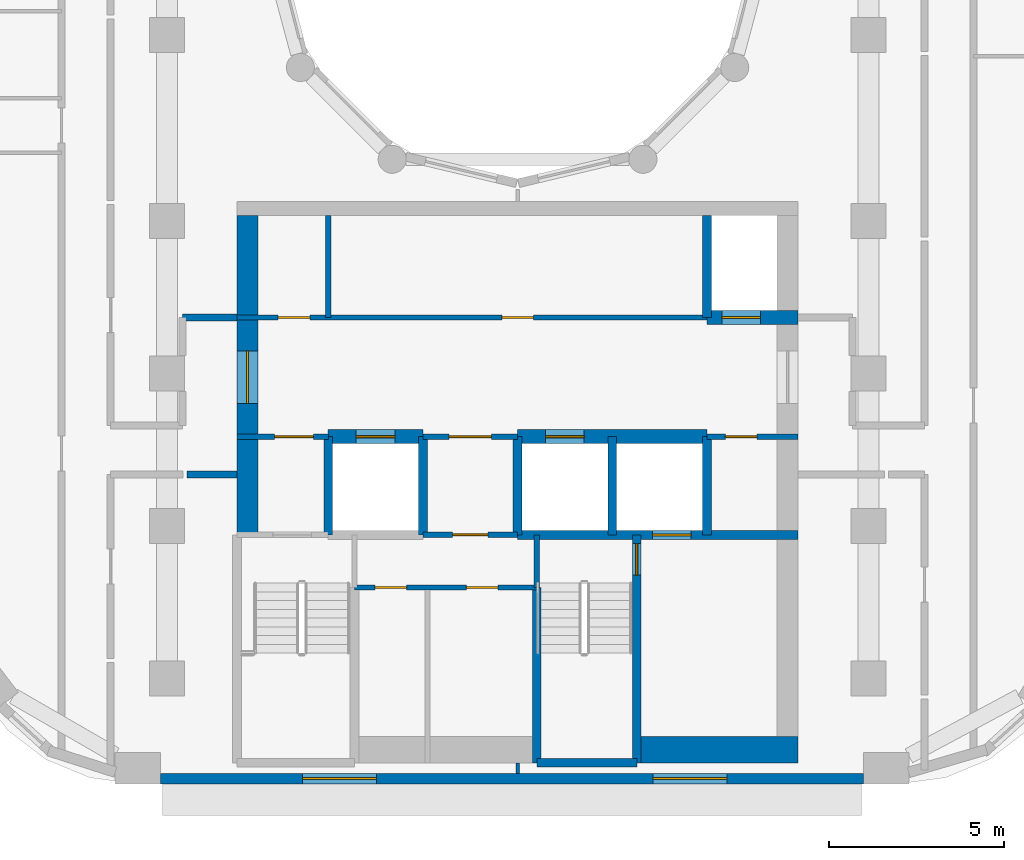
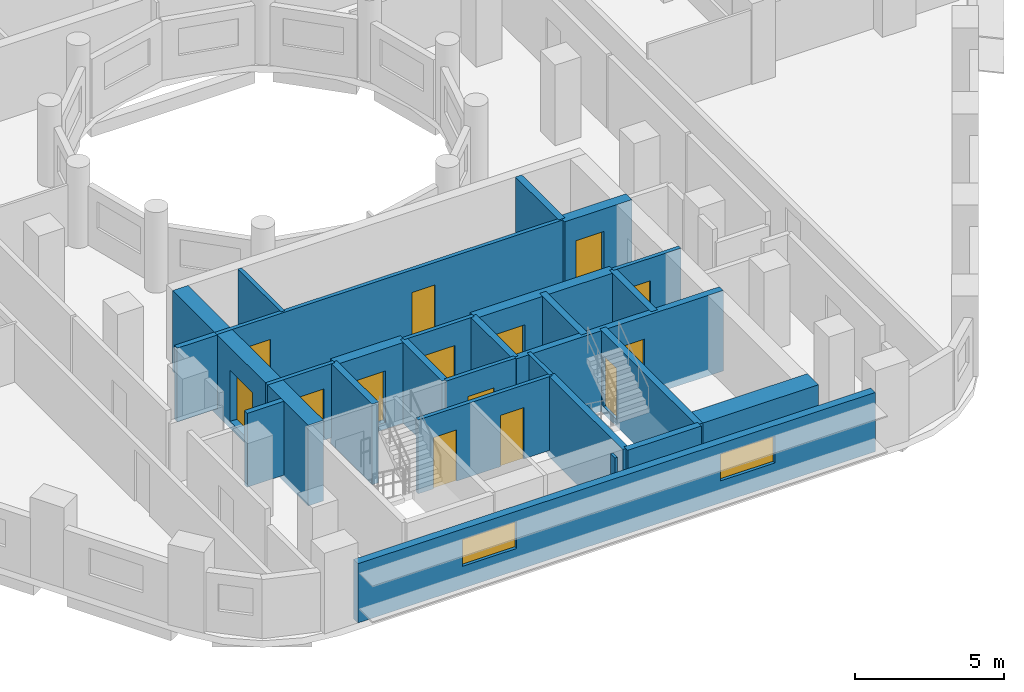
# One storey, part 3 of 13: 27 walls, 14 doors, 2 windows, 16 openings.
"""IFC4 building model written with IfcOpenShell, lengths in metres."""

from ifc_helpers import new_model, si_unit, direction, frame, frame_2d, origin, place, context, subcontext, project, spatial, rectangle, extrude, material, layer, layer_set, type_object, element, fill, save


model = new_model("IFC4")

# Units and contexts
model_context = context("Model", 3, precision=1e-05, world=origin(), true_north=direction((0.0, 1.0)))
body_context = subcontext(model_context, "Body", "Model", "MODEL_VIEW")
ifc_project = project(units=[si_unit("LENGTHUNIT", "METRE"), si_unit("AREAUNIT", "SQUARE_METRE"), si_unit("VOLUMEUNIT", "CUBIC_METRE"), si_unit("PLANEANGLEUNIT", "RADIAN"), si_unit("MASSUNIT", "GRAM", prefix="KILO")], contexts=[model_context])

# Site, building, storey
site_placement = place(None, origin())
site = spatial("IfcSite", under=ifc_project, at=site_placement, CompositionType="ELEMENT")
building_placement = place(site_placement, origin())
building = spatial("IfcBuilding", under=site, at=building_placement, Name="Nakaniwa Court", CompositionType="ELEMENT")
storey_placement = place(building_placement, frame((0.0, 0.0, 137.10009765625)))
storey = spatial("IfcBuildingStorey", under=building, at=storey_placement, Name="L35", CompositionType="ELEMENT", Elevation=137.10009765625)

# Walls
ifc_material_1 = material(Name="Acoustic double stud partition")
ifc_layer_1 = layer(ifc_material_1, 0.199951171875)
ifc_layer_set_1 = layer_set([ifc_layer_1], Name="Acoustic double stud partition")
wall_type_1 = type_object("IfcWallType", Name="Acoustic double stud partition 200", PredefinedType="PARTITIONING", material=ifc_layer_set_1)
wall_1_placement = place(storey_placement, frame((70.5771484375, 64.824951171875, 0.0), z_axis=(0.0, 0.0, 1.0), x_axis=(1.0, 0.0, 0.0)))
element("IfcWall", 1, at=wall_1_placement, inside=storey, type_object=wall_type_1, Name="Partition PW-074", PredefinedType="PARTITIONING", context=body_context, shape_type="SweptSolid", body=[
    extrude(rectangle(XDim=1.4228515625, YDim=0.199951171875, at=frame_2d((0.71142578125, 0.0))), origin(), (0.0, 0.0, 1.0), 3.02490234375),
])
wall_2_placement = place(storey_placement, frame((70.449951171875, 69.300048828125, 0.0), z_axis=(0.0, 0.0, 1.0), x_axis=(1.0, 0.0, 0.0)))
element("IfcWall", 2, at=wall_2_placement, inside=storey, type_object=wall_type_1, Name="Partition PW-078", PredefinedType="PARTITIONING", context=body_context, shape_type="SweptSolid", body=[
    extrude(rectangle(XDim=1.550048828125, YDim=0.199951171875, at=frame_2d((0.77490234375, 0.0))), origin(), (0.0, 0.0, 1.0), 3.02490234375),
])

# Wall, openings, windows
ifc_material_2 = material(Name="Charcoal ceramic cladding")
ifc_layer_2 = layer(ifc_material_2, 0.02, Name="Ceramic cladding")
ifc_material_3 = material(Name="Ventilated air cavity")
ifc_layer_3 = layer(ifc_material_3, 0.04, ventilated=True, Name="Ventilated cavity")
ifc_material_4 = material(Name="Mineral wool insulation")
ifc_layer_4 = layer(ifc_material_4, 0.1, Name="Insulation")
ifc_material_5 = material(Name="Cement bonded sheathing board")
ifc_layer_5 = layer(ifc_material_5, 0.012, Name="Sheathing")
ifc_material_6 = material(Name="Cold-formed galvanised stud frame with mineral wool infill")
ifc_layer_6 = layer(ifc_material_6, 0.1, Name="Stud frame")
ifc_material_7 = material(Name="Fire-rated gypsum plasterboard lining")
ifc_layer_7 = layer(ifc_material_7, 0.028, Name="Lining")
ifc_layer_set_2 = layer_set([ifc_layer_2, ifc_layer_3, ifc_layer_4, ifc_layer_5, ifc_layer_6, ifc_layer_7], Name="Charcoal ceramic faced external wall system")
wall_type_2 = type_object("IfcWallType", Name="Black ceramic faced external wall 300", PredefinedType="SOLIDWALL", material=ifc_layer_set_2)
wall_3_placement = place(storey_placement, frame((69.8212890625, 56.14990234375, 0.0), z_axis=(0.0, 0.0, 1.0), x_axis=(1.0, 0.0, 0.0)))
wall_3 = element("IfcWall", 3, at=wall_3_placement, inside=storey, type_object=wall_type_2, Name="L35 external wall 26", PredefinedType="SOLIDWALL", context=body_context, shape_type="SweptSolid", body=[
    extrude(rectangle(XDim=20.039794921875, YDim=0.300048828125, at=frame_2d((10.02001953125, 0.0))), origin(), (0.0, 0.0, 1.0), 2.4248046875),
])
opening_1_placement = place(wall_3_placement, frame((4.05126953125, 0.0, 0.89990234375)))
opening_1 = element("IfcOpeningElement", 4, at=opening_1_placement, cuts=wall_3, Name="Opening W7.27", PredefinedType="OPENING", context=body_context, shape_type="SweptSolid", body=[
    extrude(rectangle(XDim=2.10009765625, YDim=1.10009765625, at=frame_2d((1.050048828125, 0.550048828125))), frame((0.0, 0.159912109375, 0.0), z_axis=(0.0, -1.0, 0.0), x_axis=(1.0, 0.0, 0.0)), (0.0, 0.0, 1.0), 0.320068359375),
])
opening_2_placement = place(wall_3_placement, frame((14.047119140625, 0.0, 0.89990234375)))
opening_2 = element("IfcOpeningElement", 5, at=opening_2_placement, cuts=wall_3, Name="Opening W7.28", PredefinedType="OPENING", context=body_context, shape_type="SweptSolid", body=[
    extrude(rectangle(XDim=2.10009765625, YDim=1.10009765625, at=frame_2d((1.050048828125, 0.550048828125))), frame((0.0, 0.159912109375, 0.0), z_axis=(0.0, -1.0, 0.0), x_axis=(1.0, 0.0, 0.0)), (0.0, 0.0, 1.0), 0.320068359375),
])
ifc_material_8 = material(Name="Black anodised aluminium frame with dark low-E laminated double glazing", Category="aluminium")
window_type = type_object("IfcWindowType", Name="Dark glass window 2100x1100 sill 900", PartitioningType="SINGLE_PANEL", PredefinedType="WINDOW", material=ifc_material_8)
window_1_placement = place(opening_1_placement, origin())
window_1 = element("IfcWindow", 6, at=window_1_placement, inside=storey, type_object=window_type, Name="L35 habitable room window 26-0", OverallHeight=1.10009765625, OverallWidth=2.10009765625, PartitioningType="SINGLE_PANEL", PredefinedType="WINDOW", context=body_context, shape_type="SweptSolid", body=[
    extrude(rectangle(XDim=2.10009765625, YDim=1.10009765625, at=frame_2d((1.050048828125, 0.550048828125))), frame((0.0, 0.030029296875, 0.0), z_axis=(0.0, -1.0, 0.0), x_axis=(1.0, 0.0, 0.0)), (0.0, 0.0, 1.0), 0.06005859375),
])
fill(opening_1, window_1)
window_2_placement = place(opening_2_placement, origin())
window_2 = element("IfcWindow", 7, at=window_2_placement, inside=storey, type_object=window_type, Name="L35 habitable room window 26-1", OverallHeight=1.10009765625, OverallWidth=2.10009765625, PartitioningType="SINGLE_PANEL", PredefinedType="WINDOW", context=body_context, shape_type="SweptSolid", body=[
    extrude(rectangle(XDim=2.10009765625, YDim=1.10009765625, at=frame_2d((1.050048828125, 0.550048828125))), frame((0.0, 0.030029296875, 0.0), z_axis=(0.0, -1.0, 0.0), x_axis=(1.0, 0.0, 0.0)), (0.0, 0.0, 1.0), 0.06005859375),
])
fill(opening_2, window_2)

# Wall
ifc_material_9 = material(Name="Blockwork partition", Category="masonry")
ifc_layer_8 = layer(ifc_material_9, 0.14990234375)
ifc_layer_set_3 = layer_set([ifc_layer_8], Name="Blockwork partition")
wall_type_3 = type_object("IfcWallType", Name="Blockwork partition 150", PredefinedType="PARTITIONING", material=ifc_layer_set_3)
wall_4_placement = place(storey_placement, frame((74.60009765625, 69.300048828125, 0.0), z_axis=(0.0, 0.0, 1.0), x_axis=(0.0, 1.0, 0.0)))
element("IfcWall", 8, at=wall_4_placement, inside=storey, type_object=wall_type_3, Name="Partition PW-033", PredefinedType="PARTITIONING", context=body_context, shape_type="SweptSolid", body=[
    extrude(rectangle(XDim=2.89990234375, YDim=0.14990234375, at=frame_2d((1.449951171875, 0.0))), origin(), (0.0, 0.0, 1.0), 3.02490234375),
])

# Wall, openings, doors
wall_5_placement = place(storey_placement, frame((72.0, 69.300048828125, 0.0), z_axis=(0.0, 0.0, 1.0), x_axis=(1.0, 0.0, 0.0)))
wall_5 = element("IfcWall", 9, at=wall_5_placement, inside=storey, type_object=wall_type_3, Name="Partition PW-034", PredefinedType="PARTITIONING", context=body_context, shape_type="SweptSolid", body=[
    extrude(rectangle(XDim=13.39990234375, YDim=0.14990234375, at=frame_2d((6.699951171875, 0.0))), origin(), (0.0, 0.0, 1.0), 3.02490234375),
])
opening_3_placement = place(wall_5_placement, frame((1.175048828125, 0.0, 0.0)))
opening_3 = element("IfcOpeningElement", 10, at=opening_3_placement, cuts=wall_5, Name="Opening D-05-06", PredefinedType="OPENING", context=body_context, shape_type="SweptSolid", body=[
    extrude(rectangle(XDim=0.89990234375, YDim=2.10009765625, at=frame_2d((0.449951171875, 1.050048828125))), frame((0.0, 0.0849609375, 0.0), z_axis=(0.0, -1.0, 0.0), x_axis=(1.0, 0.0, 0.0)), (0.0, 0.0, 1.0), 0.169921875),
])
opening_4_placement = place(wall_5_placement, frame((7.550048828125, 0.0, 0.0)))
opening_4 = element("IfcOpeningElement", 11, at=opening_4_placement, cuts=wall_5, Name="Opening D-05-07", PredefinedType="OPENING", context=body_context, shape_type="SweptSolid", body=[
    extrude(rectangle(XDim=0.89990234375, YDim=2.10009765625, at=frame_2d((0.449951171875, 1.050048828125))), frame((0.0, 0.0849609375, 0.0), z_axis=(0.0, -1.0, 0.0), x_axis=(1.0, 0.0, 0.0)), (0.0, 0.0, 1.0), 0.169921875),
])
ifc_material_10 = material(Name="Fire rated steel door set", Category="steel")
door_type_1 = type_object("IfcDoorType", Name="Service room door 900", OperationType="NOTDEFINED", PredefinedType="DOOR", material=ifc_material_10)
door_1_placement = place(opening_3_placement, origin())
door_1 = element("IfcDoor", 12, at=door_1_placement, inside=storey, type_object=door_type_1, Name="Door D-05-06 L35-011", OperationType="SINGLE_SWING_RIGHT", OverallHeight=2.10009765625, OverallWidth=0.89990234375, PredefinedType="DOOR", context=body_context, shape_type="SweptSolid", body=[
    extrude(rectangle(XDim=0.89990234375, YDim=2.10009765625, at=frame_2d((0.449951171875, 1.050048828125))), frame((0.0, 0.02490234375, 0.0), z_axis=(0.0, -1.0, 0.0), x_axis=(1.0, 0.0, 0.0)), (0.0, 0.0, 1.0), 0.050048828125),
])
fill(opening_3, door_1)
door_2_placement = place(opening_4_placement, origin())
door_2 = element("IfcDoor", 13, at=door_2_placement, inside=storey, type_object=door_type_1, Name="Door D-05-07 L35-012", OperationType="SINGLE_SWING_LEFT", OverallHeight=2.10009765625, OverallWidth=0.89990234375, PredefinedType="DOOR", context=body_context, shape_type="SweptSolid", body=[
    extrude(rectangle(XDim=0.89990234375, YDim=2.10009765625, at=frame_2d((0.449951171875, 1.050048828125))), frame((0.0, 0.02490234375, 0.0), z_axis=(0.0, -1.0, 0.0), x_axis=(1.0, 0.0, 0.0)), (0.0, 0.0, 1.0), 0.050048828125),
])
fill(opening_4, door_2)

# Wall, opening, door
wall_6_placement = place(storey_placement, frame((74.60302734375, 65.89990234375, 0.0), z_axis=(0.0, 0.0, 1.0), x_axis=(-1.0, 0.0, 0.0)))
wall_6 = element("IfcWall", 14, at=wall_6_placement, inside=storey, type_object=wall_type_3, Name="Partition PW-040", PredefinedType="PARTITIONING", context=body_context, shape_type="SweptSolid", body=[
    extrude(rectangle(XDim=2.60302734375, YDim=0.14990234375, at=frame_2d((1.301513671875, 0.0))), origin(), (0.0, 0.0, 1.0), 3.02490234375),
])
opening_5_placement = place(wall_6_placement, frame((0.427978515625, 0.0, 0.0)))
opening_5 = element("IfcOpeningElement", 15, at=opening_5_placement, cuts=wall_6, Name="Opening D-08-02", PredefinedType="OPENING", context=body_context, shape_type="SweptSolid", body=[
    extrude(rectangle(XDim=1.10009765625, YDim=2.10009765625, at=frame_2d((0.550048828125, 1.050048828125))), frame((0.0, 0.0849609375, 0.0), z_axis=(0.0, -1.0, 0.0), x_axis=(1.0, 0.0, 0.0)), (0.0, 0.0, 1.0), 0.169921875),
])
door_type_2 = type_object("IfcDoorType", Name="Stair lobby door 1100", OperationType="NOTDEFINED", PredefinedType="DOOR", material=ifc_material_10)
door_3_placement = place(opening_5_placement, origin())
door_3 = element("IfcDoor", 16, at=door_3_placement, inside=storey, type_object=door_type_2, Name="Door D-08-02 L35-013", OperationType="SINGLE_SWING_RIGHT", OverallHeight=2.10009765625, OverallWidth=1.10009765625, PredefinedType="DOOR", context=body_context, shape_type="SweptSolid", body=[
    extrude(rectangle(XDim=1.10009765625, YDim=2.10009765625, at=frame_2d((0.550048828125, 1.050048828125))), frame((0.0, 0.02490234375, 0.0), z_axis=(0.0, -1.0, 0.0), x_axis=(1.0, 0.0, 0.0)), (0.0, 0.0, 1.0), 0.050048828125),
])
fill(opening_5, door_3)

wall_7_placement = place(storey_placement, frame((80.0029296875, 65.89990234375, 0.0), z_axis=(0.0, 0.0, 1.0), x_axis=(-1.0, 0.0, 0.0)))
wall_7 = element("IfcWall", 17, at=wall_7_placement, inside=storey, type_object=wall_type_3, Name="Partition PW-041", PredefinedType="PARTITIONING", context=body_context, shape_type="SweptSolid", body=[
    extrude(rectangle(XDim=2.705810546875, YDim=0.14990234375, at=frame_2d((1.35302734375, 0.0))), origin(), (0.0, 0.0, 1.0), 3.02490234375),
])
opening_6_placement = place(wall_7_placement, frame((0.7529296875, 0.0, 0.0)))
opening_6 = element("IfcOpeningElement", 18, at=opening_6_placement, cuts=wall_7, Name="Opening D-06-02", PredefinedType="OPENING", context=body_context, shape_type="SweptSolid", body=[
    extrude(rectangle(XDim=1.199951171875, YDim=2.10009765625, at=frame_2d((0.60009765625, 1.050048828125))), frame((0.0, 0.0849609375, 0.0), z_axis=(0.0, -1.0, 0.0), x_axis=(1.0, 0.0, 0.0)), (0.0, 0.0, 1.0), 0.169921875),
])
ifc_material_11 = material(Name="Fire rated steel double door set", Category="steel")
door_type_3 = type_object("IfcDoorType", Name="Service passage double door 1200", OperationType="NOTDEFINED", PredefinedType="DOOR", material=ifc_material_11)
door_4_placement = place(opening_6_placement, origin())
door_4 = element("IfcDoor", 19, at=door_4_placement, inside=storey, type_object=door_type_3, Name="Door D-06-02 L35-014", OperationType="DOUBLE_DOOR_SINGLE_SWING", OverallHeight=2.10009765625, OverallWidth=1.199951171875, PredefinedType="DOOR", context=body_context, shape_type="SweptSolid", body=[
    extrude(rectangle(XDim=1.199951171875, YDim=2.10009765625, at=frame_2d((0.60009765625, 1.050048828125))), frame((0.0, 0.02490234375, 0.0), z_axis=(0.0, -1.0, 0.0), x_axis=(1.0, 0.0, 0.0)), (0.0, 0.0, 1.0), 0.050048828125),
])
fill(opening_6, door_4)

wall_8_placement = place(storey_placement, frame((88.0, 65.89990234375, 0.0), z_axis=(0.0, 0.0, 1.0), x_axis=(-1.0, 0.0, 0.0)))
wall_8 = element("IfcWall", 20, at=wall_8_placement, inside=storey, type_object=wall_type_3, Name="Partition PW-042", PredefinedType="PARTITIONING", context=body_context, shape_type="SweptSolid", body=[
    extrude(rectangle(XDim=2.60302734375, YDim=0.14990234375, at=frame_2d((1.301513671875, 0.0))), origin(), (0.0, 0.0, 1.0), 3.02490234375),
])
opening_7_placement = place(wall_8_placement, frame((1.175048828125, 0.0, 0.0)))
opening_7 = element("IfcOpeningElement", 21, at=opening_7_placement, cuts=wall_8, Name="Opening D-05-08", PredefinedType="OPENING", context=body_context, shape_type="SweptSolid", body=[
    extrude(rectangle(XDim=0.89990234375, YDim=2.10009765625, at=frame_2d((0.449951171875, 1.050048828125))), frame((0.0, 0.0849609375, 0.0), z_axis=(0.0, -1.0, 0.0), x_axis=(1.0, 0.0, 0.0)), (0.0, 0.0, 1.0), 0.169921875),
])
door_5_placement = place(opening_7_placement, origin())
door_5 = element("IfcDoor", 22, at=door_5_placement, inside=storey, type_object=door_type_1, Name="Door D-05-08 L35-015", OperationType="SINGLE_SWING_RIGHT", OverallHeight=2.10009765625, OverallWidth=0.89990234375, PredefinedType="DOOR", context=body_context, shape_type="SweptSolid", body=[
    extrude(rectangle(XDim=0.89990234375, YDim=2.10009765625, at=frame_2d((0.449951171875, 1.050048828125))), frame((0.0, 0.02490234375, 0.0), z_axis=(0.0, -1.0, 0.0), x_axis=(1.0, 0.0, 0.0)), (0.0, 0.0, 1.0), 0.050048828125),
])
fill(opening_7, door_5)

wall_9_placement = place(storey_placement, frame((80.0, 63.10009765625, 0.0), z_axis=(0.0, 0.0, 1.0), x_axis=(-1.0, 0.0, 0.0)))
wall_9 = element("IfcWall", 23, at=wall_9_placement, inside=storey, type_object=wall_type_3, Name="Partition PW-051", PredefinedType="PARTITIONING", context=body_context, shape_type="SweptSolid", body=[
    extrude(rectangle(XDim=2.699951171875, YDim=0.14990234375, at=frame_2d((1.35009765625, 0.0))), origin(), (0.0, 0.0, 1.0), 3.02490234375),
])
opening_8_placement = place(wall_9_placement, frame((0.85009765625, 0.0, 0.0)))
opening_8 = element("IfcOpeningElement", 24, at=opening_8_placement, cuts=wall_9, Name="Opening D-23-02", PredefinedType="OPENING", context=body_context, shape_type="SweptSolid", body=[
    extrude(rectangle(XDim=1.0, YDim=2.10009765625, at=frame_2d((0.5, 1.050048828125))), frame((0.0, 0.0849609375, 0.0), z_axis=(0.0, -1.0, 0.0), x_axis=(1.0, 0.0, 0.0)), (0.0, 0.0, 1.0), 0.169921875),
])
door_type_4 = type_object("IfcDoorType", Name="Service room door 1000", OperationType="NOTDEFINED", PredefinedType="DOOR", material=ifc_material_10)
door_6_placement = place(opening_8_placement, origin())
door_6 = element("IfcDoor", 25, at=door_6_placement, inside=storey, type_object=door_type_4, Name="Door D-23-02 L35-016", OperationType="SINGLE_SWING_LEFT", OverallHeight=2.10009765625, OverallWidth=1.0, PredefinedType="DOOR", context=body_context, shape_type="SweptSolid", body=[
    extrude(rectangle(XDim=1.0, YDim=2.10009765625, at=frame_2d((0.5, 1.050048828125))), frame((0.0, 0.02490234375, 0.0), z_axis=(0.0, -1.0, 0.0), x_axis=(1.0, 0.0, 0.0)), (0.0, 0.0, 1.0), 0.050048828125),
])
fill(opening_8, door_6)

# Wall, openings, doors
wall_10_placement = place(storey_placement, frame((80.550048828125, 61.60009765625, 0.0), z_axis=(0.0, 0.0, 1.0), x_axis=(-1.0, 0.0, 0.0)))
wall_10 = element("IfcWall", 26, at=wall_10_placement, inside=storey, type_object=wall_type_3, Name="Partition PW-063", PredefinedType="PARTITIONING", context=body_context, shape_type="SweptSolid", body=[
    extrude(rectangle(XDim=5.199951171875, YDim=0.14990234375, at=frame_2d((2.60009765625, 0.0))), origin(), (0.0, 0.0, 1.0), 3.02490234375),
])
opening_9_placement = place(wall_10_placement, frame((3.7099609375, 0.0, 0.0)))
opening_9 = element("IfcOpeningElement", 27, at=opening_9_placement, cuts=wall_10, Name="Opening D-05-09", PredefinedType="OPENING", context=body_context, shape_type="SweptSolid", body=[
    extrude(rectangle(XDim=0.89990234375, YDim=2.10009765625, at=frame_2d((0.449951171875, 1.050048828125))), frame((0.0, 0.0849609375, 0.0), z_axis=(0.0, -1.0, 0.0), x_axis=(1.0, 0.0, 0.0)), (0.0, 0.0, 1.0), 0.169921875),
])
opening_10_placement = place(wall_10_placement, frame((1.110107421875, 0.0, 0.0)))
opening_10 = element("IfcOpeningElement", 28, at=opening_10_placement, cuts=wall_10, Name="Opening D-05-10", PredefinedType="OPENING", context=body_context, shape_type="SweptSolid", body=[
    extrude(rectangle(XDim=0.89990234375, YDim=2.10009765625, at=frame_2d((0.449951171875, 1.050048828125))), frame((0.0, 0.0849609375, 0.0), z_axis=(0.0, -1.0, 0.0), x_axis=(1.0, 0.0, 0.0)), (0.0, 0.0, 1.0), 0.169921875),
])
door_7_placement = place(opening_9_placement, origin())
door_7 = element("IfcDoor", 29, at=door_7_placement, inside=storey, type_object=door_type_1, Name="Door D-05-09 L35-017", OperationType="SINGLE_SWING_RIGHT", OverallHeight=2.10009765625, OverallWidth=0.89990234375, PredefinedType="DOOR", context=body_context, shape_type="SweptSolid", body=[
    extrude(rectangle(XDim=0.89990234375, YDim=2.10009765625, at=frame_2d((0.449951171875, 1.050048828125))), frame((0.0, 0.02490234375, 0.0), z_axis=(0.0, -1.0, 0.0), x_axis=(1.0, 0.0, 0.0)), (0.0, 0.0, 1.0), 0.050048828125),
])
fill(opening_9, door_7)
door_8_placement = place(opening_10_placement, origin())
door_8 = element("IfcDoor", 30, at=door_8_placement, inside=storey, type_object=door_type_1, Name="Door D-05-10 L35-018", OperationType="SINGLE_SWING_LEFT", OverallHeight=2.10009765625, OverallWidth=0.89990234375, PredefinedType="DOOR", context=body_context, shape_type="SweptSolid", body=[
    extrude(rectangle(XDim=0.89990234375, YDim=2.10009765625, at=frame_2d((0.449951171875, 1.050048828125))), frame((0.0, 0.02490234375, 0.0), z_axis=(0.0, -1.0, 0.0), x_axis=(1.0, 0.0, 0.0)), (0.0, 0.0, 1.0), 0.050048828125),
])
fill(opening_10, door_8)

# Wall, opening, door
ifc_material_12 = material(Name="Concrete C80/100", Category="concrete")
ifc_layer_9 = layer(ifc_material_12, 0.60009765625)
ifc_layer_set_4 = layer_set([ifc_layer_9], Name="Concrete C80/100")
wall_type_4 = type_object("IfcWallType", Name="Concrete core side wall 600 C80", PredefinedType="SHEAR", material=ifc_layer_set_4)
wall_11_placement = place(storey_placement, frame((72.300048828125, 63.10009765625, -0.275146484375), z_axis=(0.0, 0.0, 1.0), x_axis=(0.0, 1.0, 0.0)))
wall_11 = element("IfcWall", 31, at=wall_11_placement, inside=storey, type_object=wall_type_4, Name="Core wall SW-35", PredefinedType="SHEAR", context=body_context, shape_type="SweptSolid", body=[
    extrude(rectangle(XDim=9.099853515625, YDim=0.60009765625, at=frame_2d((4.5498046875, 0.0))), origin(), (0.0, 0.0, 1.0), 3.300048828125),
])
opening_11_placement = place(wall_11_placement, frame((3.748046875, 0.0, 0.27490234375)))
opening_11 = element("IfcOpeningElement", 32, at=opening_11_placement, cuts=wall_11, Name="Opening D-07-04", PredefinedType="OPENING", context=body_context, shape_type="SweptSolid", body=[
    extrude(rectangle(XDim=1.5, YDim=2.10009765625, at=frame_2d((0.75, 1.050048828125))), frame((0.0, 0.31005859375, 0.0), z_axis=(0.0, -1.0, 0.0), x_axis=(1.0, 0.0, 0.0)), (0.0, 0.0, 1.0), 0.6201171875),
])
ifc_material_13 = material(Name="Glazed fire rated steel double door set", Category="steel")
door_type_5 = type_object("IfcDoorType", Name="Lobby double door 1500", OperationType="NOTDEFINED", PredefinedType="DOOR", material=ifc_material_13)
door_9_placement = place(opening_11_placement, origin())
door_9 = element("IfcDoor", 33, at=door_9_placement, inside=storey, type_object=door_type_5, Name="Door D-07-04 L35-046", OperationType="DOUBLE_DOOR_SINGLE_SWING", OverallHeight=2.10009765625, OverallWidth=1.5, PredefinedType="DOOR", context=body_context, shape_type="SweptSolid", body=[
    extrude(rectangle(XDim=1.5, YDim=2.10009765625, at=frame_2d((0.75, 1.050048828125))), frame((0.0, 0.02490234375, 0.0), z_axis=(0.0, -1.0, 0.0), x_axis=(1.0, 0.0, 0.0)), (0.0, 0.0, 1.0), 0.050048828125),
])
fill(opening_11, door_9)

ifc_layer_10 = layer(ifc_material_12, 0.39990234375)
ifc_layer_set_5 = layer_set([ifc_layer_10], Name="Concrete C80/100")
wall_type_5 = type_object("IfcWallType", Name="Concrete core spine wall 400 C80", PredefinedType="SHEAR", material=ifc_layer_set_5)
wall_12_placement = place(storey_placement, frame((85.39990234375, 69.300048828125, -0.275146484375), z_axis=(0.0, 0.0, 1.0), x_axis=(1.0, 0.0, 0.0)))
wall_12 = element("IfcWall", 34, at=wall_12_placement, inside=storey, type_object=wall_type_5, Name="Core wall SW-38", PredefinedType="SHEAR", context=body_context, shape_type="SweptSolid", body=[
    extrude(rectangle(XDim=2.60009765625, YDim=0.39990234375, at=frame_2d((1.300048828125, 0.0))), origin(), (0.0, 0.0, 1.0), 3.300048828125),
])
opening_12_placement = place(wall_12_placement, frame((0.425048828125, 0.0, 0.27490234375)))
opening_12 = element("IfcOpeningElement", 35, at=opening_12_placement, cuts=wall_12, Name="Opening LD05", PredefinedType="OPENING", context=body_context, shape_type="SweptSolid", body=[
    extrude(rectangle(XDim=1.10009765625, YDim=2.10009765625, at=frame_2d((0.550048828125, 1.050048828125))), frame((0.0, 0.2099609375, 0.0), z_axis=(0.0, -1.0, 0.0), x_axis=(1.0, 0.0, 0.0)), (0.0, 0.0, 1.0), 0.419921875),
])
ifc_material_14 = material(Name="Stainless steel sliding lift landing door", Category="steel")
door_type_6 = type_object("IfcDoorType", Name="Lift landing door 1100", OperationType="NOTDEFINED", PredefinedType="DOOR", material=ifc_material_14)
door_10_placement = place(opening_12_placement, origin())
door_10 = element("IfcDoor", 36, at=door_10_placement, inside=storey, type_object=door_type_6, Name="Lift landing door LD05 L35-005", OperationType="SLIDING_TO_LEFT", OverallHeight=2.10009765625, OverallWidth=1.10009765625, PredefinedType="DOOR", context=body_context, shape_type="SweptSolid", body=[
    extrude(rectangle(XDim=1.10009765625, YDim=2.10009765625, at=frame_2d((0.550048828125, 1.050048828125))), frame((0.0, 0.02490234375, 0.0), z_axis=(0.0, -1.0, 0.0), x_axis=(1.0, 0.0, 0.0)), (0.0, 0.0, 1.0), 0.050048828125),
])
fill(opening_12, door_10)

wall_13_placement = place(storey_placement, frame((74.596923828125, 65.89990234375, -0.275146484375), z_axis=(0.0, 0.0, 1.0), x_axis=(1.0, 0.0, 0.0)))
wall_13 = element("IfcWall", 37, at=wall_13_placement, inside=storey, type_object=wall_type_5, Name="Core wall SW-43", PredefinedType="SHEAR", context=body_context, shape_type="SweptSolid", body=[
    extrude(rectangle(XDim=2.7060546875, YDim=0.39990234375, at=frame_2d((1.35302734375, 0.0))), origin(), (0.0, 0.0, 1.0), 3.300048828125),
])
opening_13_placement = place(wall_13_placement, frame((0.802978515625, 0.0, 0.27490234375)))
opening_13 = element("IfcOpeningElement", 38, at=opening_13_placement, cuts=wall_13, Name="Opening LD06", PredefinedType="OPENING", context=body_context, shape_type="SweptSolid", body=[
    extrude(rectangle(XDim=1.10009765625, YDim=2.10009765625, at=frame_2d((0.550048828125, 1.050048828125))), frame((0.0, 0.2099609375, 0.0), z_axis=(0.0, -1.0, 0.0), x_axis=(1.0, 0.0, 0.0)), (0.0, 0.0, 1.0), 0.419921875),
])
door_11_placement = place(opening_13_placement, origin())
door_11 = element("IfcDoor", 39, at=door_11_placement, inside=storey, type_object=door_type_6, Name="Lift landing door LD06 L35-006", OperationType="SLIDING_TO_LEFT", OverallHeight=2.10009765625, OverallWidth=1.10009765625, PredefinedType="DOOR", context=body_context, shape_type="SweptSolid", body=[
    extrude(rectangle(XDim=1.10009765625, YDim=2.10009765625, at=frame_2d((0.550048828125, 1.050048828125))), frame((0.0, 0.02490234375, 0.0), z_axis=(0.0, -1.0, 0.0), x_axis=(1.0, 0.0, 0.0)), (0.0, 0.0, 1.0), 0.050048828125),
])
fill(opening_13, door_11)

wall_14_placement = place(storey_placement, frame((79.9970703125, 65.89990234375, -0.275146484375), z_axis=(0.0, 0.0, 1.0), x_axis=(1.0, 0.0, 0.0)))
wall_14 = element("IfcWall", 40, at=wall_14_placement, inside=storey, type_object=wall_type_5, Name="Core wall SW-44", PredefinedType="SHEAR", context=body_context, shape_type="SweptSolid", body=[
    extrude(rectangle(XDim=5.406005859375, YDim=0.39990234375, at=frame_2d((2.703125, 0.0))), origin(), (0.0, 0.0, 1.0), 3.300048828125),
])
opening_14_placement = place(wall_14_placement, frame((0.802978515625, 0.0, 0.27490234375)))
opening_14 = element("IfcOpeningElement", 41, at=opening_14_placement, cuts=wall_14, Name="Opening LD07", PredefinedType="OPENING", context=body_context, shape_type="SweptSolid", body=[
    extrude(rectangle(XDim=1.10009765625, YDim=2.10009765625, at=frame_2d((0.550048828125, 1.050048828125))), frame((0.0, 0.2099609375, 0.0), z_axis=(0.0, -1.0, 0.0), x_axis=(1.0, 0.0, 0.0)), (0.0, 0.0, 1.0), 0.419921875),
])
door_12_placement = place(opening_14_placement, origin())
door_12 = element("IfcDoor", 42, at=door_12_placement, inside=storey, type_object=door_type_6, Name="Lift landing door LD07 L35-007", OperationType="SLIDING_TO_LEFT", OverallHeight=2.10009765625, OverallWidth=1.10009765625, PredefinedType="DOOR", context=body_context, shape_type="SweptSolid", body=[
    extrude(rectangle(XDim=1.10009765625, YDim=2.10009765625, at=frame_2d((0.550048828125, 1.050048828125))), frame((0.0, 0.02490234375, 0.0), z_axis=(0.0, -1.0, 0.0), x_axis=(1.0, 0.0, 0.0)), (0.0, 0.0, 1.0), 0.050048828125),
])
fill(opening_14, door_12)

# Walls
ifc_layer_11 = layer(ifc_material_12, 0.14990234375)
ifc_layer_set_6 = layer_set([ifc_layer_11], Name="Concrete C80/100")
wall_type_6 = type_object("IfcWallType", Name="Concrete core wall 150 C80", PredefinedType="SHEAR", material=ifc_layer_set_6)
wall_15_placement = place(storey_placement, frame((80.550048828125, 61.596923828125, -0.275146484375), z_axis=(0.0, 0.0, 1.0), x_axis=(0.0, 1.0, 0.0)))
element("IfcWall", 43, at=wall_15_placement, inside=storey, type_object=wall_type_6, Name="Core wall SW-59", PredefinedType="SHEAR", context=body_context, shape_type="SweptSolid", body=[
    extrude(rectangle(XDim=1.503173828125, YDim=0.14990234375, at=frame_2d((0.75146484375, 0.0))), origin(), (0.0, 0.0, 1.0), 3.300048828125),
])
ifc_layer_12 = layer(ifc_material_12, 0.25)
ifc_layer_set_7 = layer_set([ifc_layer_12], Name="Concrete C80/100")
wall_type_7 = type_object("IfcWallType", Name="Concrete core wall 250 C80", PredefinedType="SHEAR", material=ifc_layer_set_7)
wall_16_placement = place(storey_placement, frame((80.550048828125, 56.60009765625, -0.275146484375), z_axis=(0.0, 0.0, 1.0), x_axis=(1.0, 0.0, 0.0)))
element("IfcWall", 44, at=wall_16_placement, inside=storey, type_object=wall_type_7, Name="Core wall SW-57", PredefinedType="SHEAR", context=body_context, shape_type="SweptSolid", body=[
    extrude(rectangle(XDim=2.849853515625, YDim=0.25, at=frame_2d((1.4248046875, 0.0))), origin(), (0.0, 0.0, 1.0), 3.300048828125),
])
ifc_layer_13 = layer(ifc_material_12, 0.75)
ifc_layer_set_8 = layer_set([ifc_layer_13], Name="Concrete C80/100")
wall_type_8 = type_object("IfcWallType", Name="Concrete core wall 750 C80", PredefinedType="SHEAR", material=ifc_layer_set_8)
wall_17_placement = place(storey_placement, frame((83.39990234375, 56.97509765625, -0.275146484375), z_axis=(0.0, 0.0, 1.0), x_axis=(1.0, 0.0, 0.0)))
element("IfcWall", 45, at=wall_17_placement, inside=storey, type_object=wall_type_8, Name="Core wall SW-62", PredefinedType="SHEAR", context=body_context, shape_type="SweptSolid", body=[
    extrude(rectangle(XDim=4.60009765625, YDim=0.75, at=frame_2d((2.300048828125, 0.0))), origin(), (0.0, 0.0, 1.0), 3.300048828125),
])
ifc_layer_14 = layer(ifc_material_12, 0.25)
ifc_layer_set_9 = layer_set([ifc_layer_14], Name="Concrete C80/100")
wall_type_9 = type_object("IfcWallType", Name="Concrete shaft wall 250 C80", PredefinedType="SHEAR", material=ifc_layer_set_9)
wall_18_placement = place(storey_placement, frame((85.39990234375, 63.10009765625, -0.275146484375), z_axis=(0.0, 0.0, 1.0), x_axis=(0.0, 1.0, 0.0)))
element("IfcWall", 46, at=wall_18_placement, inside=storey, type_object=wall_type_9, Name="Core wall SW-36", PredefinedType="SHEAR", context=body_context, shape_type="SweptSolid", body=[
    extrude(rectangle(XDim=2.7998046875, YDim=0.25, at=frame_2d((1.39990234375, 0.0))), origin(), (0.0, 0.0, 1.0), 3.300048828125),
])
wall_19_placement = place(storey_placement, frame((85.39990234375, 69.300048828125, -0.275146484375), z_axis=(0.0, 0.0, 1.0), x_axis=(0.0, 1.0, 0.0)))
element("IfcWall", 47, at=wall_19_placement, inside=storey, type_object=wall_type_9, Name="Core wall SW-37", PredefinedType="SHEAR", context=body_context, shape_type="SweptSolid", body=[
    extrude(rectangle(XDim=2.89990234375, YDim=0.25, at=frame_2d((1.449951171875, 0.0))), origin(), (0.0, 0.0, 1.0), 3.300048828125),
])
for number, where, z_axis, x_axis, name in (
    (48, (74.60009765625, 63.10009765625, -0.275146484375), (0.0, 0.0, 1.0), (0.0, 1.0, 0.0), "Core wall SW-45"),
    (49, (77.300048828125, 63.10009765625, -0.275146484375), (0.0, 0.0, 1.0), (0.0, 1.0, 0.0), "Core wall SW-47"),
):
    element("IfcWall", number, at=place(storey_placement, frame(where, z_axis=z_axis, x_axis=x_axis)), inside=storey, type_object=wall_type_9, Name=name, PredefinedType="SHEAR", context=body_context, shape_type="SweptSolid", body=[
        extrude(rectangle(XDim=2.7998046875, YDim=0.25, at=frame_2d((1.39990234375, 0.0))), origin(), (0.0, 0.0, 1.0), 3.300048828125),
    ])

# Wall, opening, door
wall_20_placement = place(storey_placement, frame((80.0, 63.10009765625, -0.275146484375), z_axis=(0.0, 0.0, 1.0), x_axis=(1.0, 0.0, 0.0)))
wall_20 = element("IfcWall", 50, at=wall_20_placement, inside=storey, type_object=wall_type_9, Name="Core wall SW-49", PredefinedType="SHEAR", context=body_context, shape_type="SweptSolid", body=[
    extrude(rectangle(XDim=8.0, YDim=0.25, at=frame_2d((4.0, 0.0))), origin(), (0.0, 0.0, 1.0), 3.300048828125),
])
opening_15_placement = place(wall_20_placement, frame((3.84912109375, 0.0, 0.27490234375)))
opening_15 = element("IfcOpeningElement", 51, at=opening_15_placement, cuts=wall_20, Name="Opening LD08", PredefinedType="OPENING", context=body_context, shape_type="SweptSolid", body=[
    extrude(rectangle(XDim=1.10009765625, YDim=2.10009765625, at=frame_2d((0.550048828125, 1.050048828125))), frame((0.0, 0.135009765625, 0.0), z_axis=(0.0, -1.0, 0.0), x_axis=(1.0, 0.0, 0.0)), (0.0, 0.0, 1.0), 0.27001953125),
])
door_13_placement = place(opening_15_placement, origin())
door_13 = element("IfcDoor", 52, at=door_13_placement, inside=storey, type_object=door_type_6, Name="Lift landing door LD08 L35-008", OperationType="SLIDING_TO_LEFT", OverallHeight=2.10009765625, OverallWidth=1.10009765625, PredefinedType="DOOR", context=body_context, shape_type="SweptSolid", body=[
    extrude(rectangle(XDim=1.10009765625, YDim=2.10009765625, at=frame_2d((0.550048828125, 1.050048828125))), frame((0.0, 0.02490234375, 0.0), z_axis=(0.0, -1.0, 0.0), x_axis=(1.0, 0.0, 0.0)), (0.0, 0.0, 1.0), 0.050048828125),
])
fill(opening_15, door_13)

# Walls
for number, where, z_axis, x_axis, name in (
    (53, (80.0, 63.10009765625, -0.275146484375), (0.0, 0.0, 1.0), (0.0, 1.0, 0.0), "Core wall SW-50"),
    (54, (82.699951171875, 63.10009765625, -0.275146484375), (0.0, 0.0, 1.0), (0.0, 1.0, 0.0), "Core wall SW-52"),
):
    element("IfcWall", number, at=place(storey_placement, frame(where, z_axis=z_axis, x_axis=x_axis)), inside=storey, type_object=wall_type_9, Name=name, PredefinedType="SHEAR", context=body_context, shape_type="SweptSolid", body=[
        extrude(rectangle(XDim=2.7998046875, YDim=0.25, at=frame_2d((1.39990234375, 0.0))), origin(), (0.0, 0.0, 1.0), 3.300048828125),
    ])

# Wall, opening, door
wall_21_placement = place(storey_placement, frame((83.39990234375, 63.10009765625, -0.275146484375), z_axis=(0.0, 0.0, 1.0), x_axis=(0.0, -1.0, 0.0)))
wall_21 = element("IfcWall", 55, at=wall_21_placement, inside=storey, type_object=wall_type_9, Name="Core wall SW-58", PredefinedType="SHEAR", context=body_context, shape_type="SweptSolid", body=[
    extrude(rectangle(XDim=6.5, YDim=0.25, at=frame_2d((3.25, 0.0))), origin(), (0.0, 0.0, 1.0), 3.300048828125),
])
opening_16_placement = place(wall_21_placement, frame((0.25, 0.0, 0.27490234375)))
opening_16 = element("IfcOpeningElement", 56, at=opening_16_placement, cuts=wall_21, Name="Opening D-11-02", PredefinedType="OPENING", context=body_context, shape_type="SweptSolid", body=[
    extrude(rectangle(XDim=0.89990234375, YDim=2.10009765625, at=frame_2d((0.449951171875, 1.050048828125))), frame((0.0, 0.135009765625, 0.0), z_axis=(0.0, -1.0, 0.0), x_axis=(1.0, 0.0, 0.0)), (0.0, 0.0, 1.0), 0.27001953125),
])
door_type_7 = type_object("IfcDoorType", Name="Stair door 900", OperationType="NOTDEFINED", PredefinedType="DOOR", material=ifc_material_10)
door_14_placement = place(opening_16_placement, origin())
door_14 = element("IfcDoor", 57, at=door_14_placement, inside=storey, type_object=door_type_7, Name="Door D-11-02 L35-020", OperationType="SINGLE_SWING_RIGHT", OverallHeight=2.10009765625, OverallWidth=0.89990234375, PredefinedType="DOOR", context=body_context, shape_type="SweptSolid", body=[
    extrude(rectangle(XDim=0.89990234375, YDim=2.10009765625, at=frame_2d((0.449951171875, 1.050048828125))), frame((0.0, 0.02490234375, 0.0), z_axis=(0.0, -1.0, 0.0), x_axis=(1.0, 0.0, 0.0)), (0.0, 0.0, 1.0), 0.050048828125),
])
fill(opening_16, door_14)

# Walls
wall_22_placement = place(storey_placement, frame((80.550048828125, 56.60009765625, -0.275146484375), z_axis=(0.0, 0.0, 1.0), x_axis=(0.0, 1.0, 0.0)))
element("IfcWall", 58, at=wall_22_placement, inside=storey, type_object=wall_type_9, Name="Core wall SW-60", PredefinedType="SHEAR", context=body_context, shape_type="SweptSolid", body=[
    extrude(rectangle(XDim=5.0029296875, YDim=0.25, at=frame_2d((2.50146484375, 0.0))), origin(), (0.0, 0.0, 1.0), 3.300048828125),
])
ifc_material_15 = material(Name="Single stud plasterboard partition")
ifc_layer_15 = layer(ifc_material_15, 0.10009765625)
ifc_layer_set_10 = layer_set([ifc_layer_15], Name="Single stud plasterboard partition")
wall_type_10 = type_object("IfcWallType", Name="Single stud plasterboard partition 100", PredefinedType="PARTITIONING", material=ifc_layer_set_10)
wall_23_placement = place(storey_placement, frame((80.0, 56.300048828125, 0.0), z_axis=(0.0, 0.0, 1.0), x_axis=(0.0, 1.0, 0.0)))
element("IfcWall", 59, at=wall_23_placement, inside=storey, type_object=wall_type_10, Name="Partition PW-108", PredefinedType="PARTITIONING", context=body_context, shape_type="SweptSolid", body=[
    extrude(rectangle(XDim=0.300048828125, YDim=0.10009765625, at=frame_2d((0.14990234375, 0.0))), origin(), (0.0, 0.0, 1.0), 3.02490234375),
])

save(model, "model.ifc")
